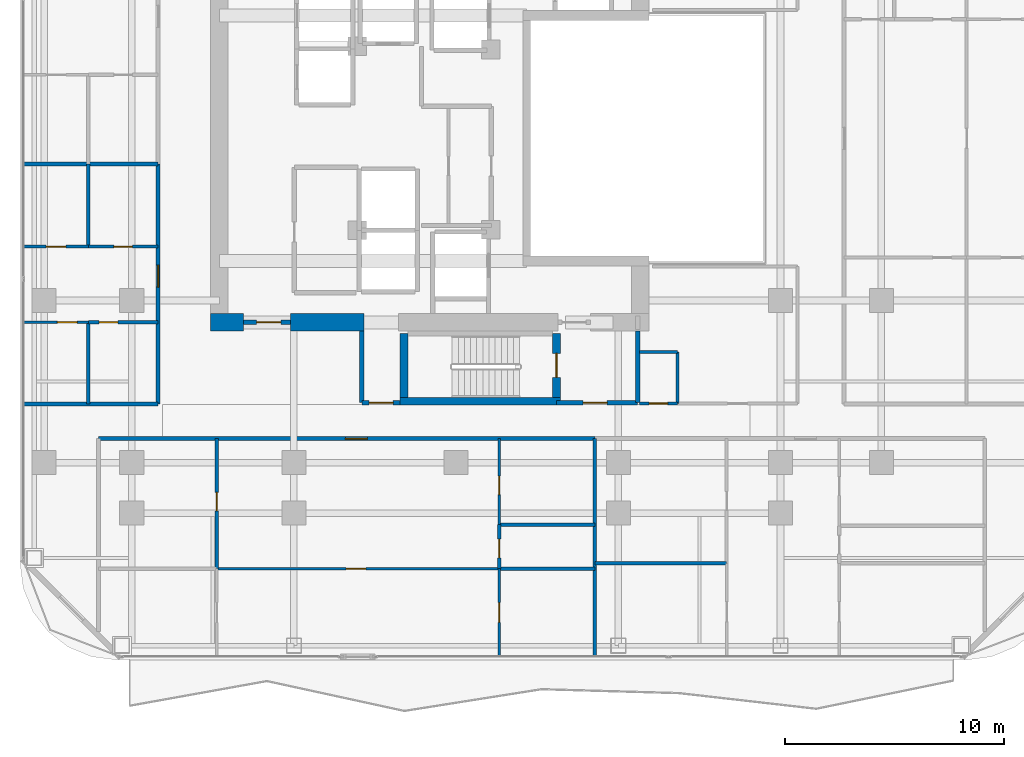
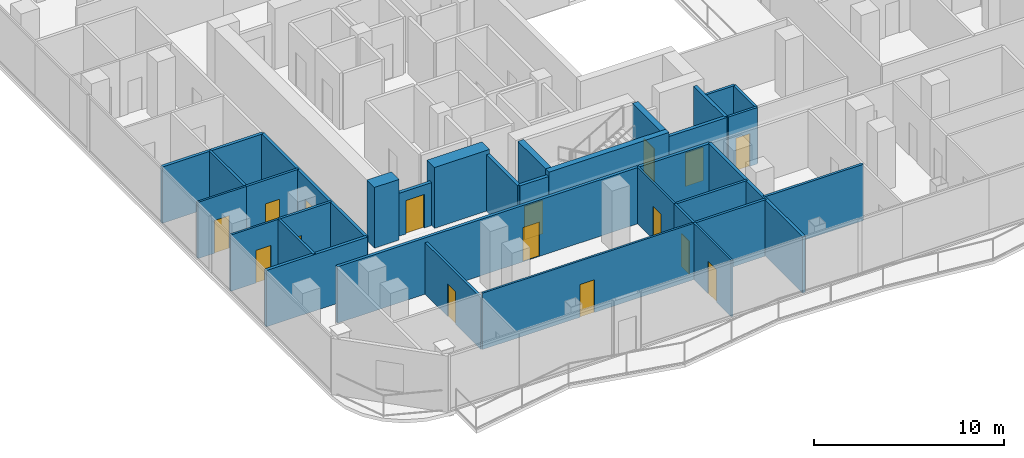
# One storey, part 20 of 27: 32 walls, 16 doors, 16 openings.
"""IFC4 building model written with IfcOpenShell, lengths in metres."""

import ifcopenshell
import ifcopenshell.guid

model = None  # the IFC model being written
_history = None  # IfcOwnerHistory: only IFC2X3 demands one
_inside = {}  # id of a spatial element -> (the spatial element, [elements in it])
_under = {}  # id of a project, library or spatial element -> (it, [spatial elements below it])
_declared = {}  # id of a project -> (the project, [libraries it declares])
_typed = {}  # id of a type object -> (the type object, [elements of that type])
_made_of = {}  # id of a material, layer set ... -> (it, [elements and type objects made of it])


def new_model(schema):
    """Start an empty IFC model of exactly this schema.

    Asked for "IFC4X3", IfcOpenShell would pick the latest addendum, in which some entities
    have other attributes; the version numbers below select the first issue.
    IFC2X3 requires an IfcOwnerHistory on every rooted entity: one is made here for all.
    """
    global model, _history
    if schema == "IFC4X3":
        model = ifcopenshell.file(schema_version=(4, 3, 0, 0))
    else:
        model = ifcopenshell.file(schema=schema)
    _inside.clear()
    _under.clear()
    _declared.clear()
    _typed.clear()
    _made_of.clear()
    _history = None
    if model.schema == "IFC2X3":
        org = make("IfcOrganization", Name="unknown")
        user = make(
            "IfcPersonAndOrganization",
            ThePerson=make("IfcPerson", FamilyName="unknown"),
            TheOrganization=org,
        )
        app = make(
            "IfcApplication",
            ApplicationDeveloper=org,
            Version="unknown",
            ApplicationFullName="unknown",
            ApplicationIdentifier="unknown",
        )
        _history = make(
            "IfcOwnerHistory",
            OwningUser=user,
            OwningApplication=app,
            ChangeAction="ADDED",
            CreationDate=0,
        )
    return model


def make(cls, **values):
    """One entity of the class cls with the attributes given. An attribute that is None is left unset."""
    return model.create_entity(
        cls, **{name: value for name, value in values.items() if value is not None}
    )


def rooted(cls, **values):
    """An entity with a GlobalId (a new one), such as an element, a storey or a relation."""
    return make(cls, GlobalId=ifcopenshell.guid.new(), OwnerHistory=_history, **values)


def si_unit(unit_type, name, prefix=None):
    """IfcSIUnit, for example si_unit("LENGTHUNIT", "METRE", prefix="MILLI")."""
    return make("IfcSIUnit", UnitType=unit_type, Prefix=prefix, Name=name)


def assignment(units):
    """IfcUnitAssignment: the units of a project."""
    return None if units is None else make("IfcUnitAssignment", Units=units)


def point(xyz):
    """IfcCartesianPoint."""
    return None if xyz is None else make("IfcCartesianPoint", Coordinates=xyz)


def direction(xyz):
    """IfcDirection."""
    return None if xyz is None else make("IfcDirection", DirectionRatios=xyz)


def frame(location, z_axis=None, x_axis=None):
    """IfcAxis2Placement3D, a coordinate frame: its origin and axes. An axis left out is left unset."""
    return make(
        "IfcAxis2Placement3D",
        Location=point(location),
        Axis=direction(z_axis),
        RefDirection=direction(x_axis),
    )


def frame_2d(location, x_axis=None):
    """IfcAxis2Placement2D, a coordinate frame in the plane: its origin and x axis."""
    return make(
        "IfcAxis2Placement2D", Location=point(location), RefDirection=direction(x_axis)
    )


def origin():
    """The frame at (0, 0, 0) with its axes left unset."""
    return frame((0.0, 0.0, 0.0))


def place(relative_to, where):
    """IfcLocalPlacement: puts the frame where relative to a parent placement (None: the world)."""
    return make(
        "IfcLocalPlacement", PlacementRelTo=relative_to, RelativePlacement=where
    )


def context(
    kind, dimensions, precision=None, world=None, true_north=None, identifier=None
):
    """IfcGeometricRepresentationContext, for example the 3D "Model" context."""
    return make(
        "IfcGeometricRepresentationContext",
        ContextIdentifier=identifier,
        ContextType=kind,
        CoordinateSpaceDimension=dimensions,
        Precision=precision,
        WorldCoordinateSystem=world,
        TrueNorth=true_north,
    )


def subcontext(parent, identifier, kind, view, scale=None):
    """IfcGeometricRepresentationSubContext, for example "Body" below "Model"."""
    return make(
        "IfcGeometricRepresentationSubContext",
        ContextIdentifier=identifier,
        ContextType=kind,
        ParentContext=parent,
        TargetScale=scale,
        TargetView=view,
    )


def project(units=None, contexts=None):
    """IfcProject with its units and contexts."""
    return rooted(
        "IfcProject",
        Name="project",
        RepresentationContexts=contexts,
        UnitsInContext=assignment(units),
    )


def spatial(cls, under=None, at=None, **own):
    """A site, building, storey or space (cls), placed at a placement, below another one or the project."""
    s = rooted(cls, ObjectPlacement=at, **own)
    if under is not None:
        _under.setdefault(under.id(), (under, []))[1].append(s)
    return s


def profile(cls, at=None, kind="AREA", **sizes):
    """A parametric profile (cls). Its sizes go by their IFC names, for example OverallWidth=200.0."""
    return make(cls, ProfileType=kind, Position=at, **sizes)


def rectangle(**sizes):
    """IfcRectangleProfileDef."""
    return profile("IfcRectangleProfileDef", **sizes)


def extrude(swept, where, along, depth):
    """IfcExtrudedAreaSolid: the profile swept, set in the frame where, extruded along a direction by depth."""
    return make(
        "IfcExtrudedAreaSolid",
        SweptArea=swept,
        Position=where,
        ExtrudedDirection=direction(along),
        Depth=depth,
    )


def shape(context_of_items, identifier, shape_type, items):
    """IfcShapeRepresentation: the items that make up one representation, for example the "Body"."""
    return make(
        "IfcShapeRepresentation",
        ContextOfItems=context_of_items,
        RepresentationIdentifier=identifier,
        RepresentationType=shape_type,
        Items=items,
    )


def material(Name=None, Category=None):
    """IfcMaterial."""
    return make("IfcMaterial", Name=Name, Category=Category)


def layer(
    of_material, thickness, ventilated=None, Name=None, Category=None, Priority=None
):
    """IfcMaterialLayer: one layer of a wall or slab, of a material (None: an air gap)."""
    return make(
        "IfcMaterialLayer",
        Material=of_material,
        LayerThickness=thickness,
        IsVentilated=ventilated,
        Name=Name,
        Category=Category,
        Priority=Priority,
    )


def layer_set(layers, Name=None):
    """IfcMaterialLayerSet."""
    return make("IfcMaterialLayerSet", MaterialLayers=layers, LayerSetName=Name)


def made_of(thing, what):
    """Note that an element or type object is made of a material, layer set ...; save() writes the relation."""
    if what is not None:
        _made_of.setdefault(what.id(), (what, []))[1].append(thing)
    return thing


def type_object(cls, material=None, **own):
    """A type object (cls), such as IfcWallType, which elements share."""
    return made_of(rooted(cls, **own), material)


def element(
    cls,
    number,
    at=None,
    inside=None,
    cuts=None,
    type_object=None,
    material=None,
    context=None,
    identifier="Body",
    shape_type=None,
    held_by="IfcProductDefinitionShape",
    body=None,
    shapes=None,
    **own,
):
    """One element of the class cls, such as IfcWall. Its Tag is "e" and its number.

    at: its placement. inside: the storey or other place that contains it. cuts: it is an
    opening in that element (IfcRelVoidsElement). A single representation is given by context,
    identifier, shape_type and body (its items); several are given by shapes. held_by: the class
    of the entity that holds the representations. save() writes the other relations.
    """
    e = rooted(cls, Tag="e%d" % number, ObjectPlacement=at, **own)
    if body is not None:
        shapes = [shape(context, identifier, shape_type, body)]
    if shapes is not None:
        e.Representation = make(held_by, Representations=shapes)
    if inside is not None:
        _inside.setdefault(inside.id(), (inside, []))[1].append(e)
    if cuts is not None:
        rooted(
            "IfcRelVoidsElement", RelatingBuildingElement=cuts, RelatedOpeningElement=e
        )
    if type_object is not None:
        _typed.setdefault(type_object.id(), (type_object, []))[1].append(e)
    return made_of(e, material)


def fill(opening, filler):
    """IfcRelFillsElement: the door or window that sits in an opening."""
    return rooted(
        "IfcRelFillsElement",
        RelatingOpeningElement=opening,
        RelatedBuildingElement=filler,
    )


def aggregate(whole, parts):
    """IfcRelAggregates: a whole, such as a stair, and the parts it consists of."""
    return rooted("IfcRelAggregates", RelatingObject=whole, RelatedObjects=parts)


def save(model, path):
    """Write the relations noted so far, then the file.

    IfcRelAggregates (storeys below a building ...), IfcRelContainedInSpatialStructure (elements
    in a storey), IfcRelDefinesByType, IfcRelAssociatesMaterial and IfcRelDeclares: one each for
    every whole, place, type object, material and project.
    """
    for whole, parts in _under.values():
        aggregate(whole, parts)
    for where, things in _inside.values():
        rooted(
            "IfcRelContainedInSpatialStructure",
            RelatedElements=things,
            RelatingStructure=where,
        )
    for kind, things in _typed.values():
        rooted("IfcRelDefinesByType", RelatedObjects=things, RelatingType=kind)
    for what, things in _made_of.values():
        rooted("IfcRelAssociatesMaterial", RelatedObjects=things, RelatingMaterial=what)
    for by, libraries in _declared.values():
        rooted("IfcRelDeclares", RelatingContext=by, RelatedDefinitions=libraries)
    model.write(path)


model = new_model("IFC4")

# Units and contexts
model_context = context("Model", 3, precision=1e-05, world=origin(), true_north=direction((0.0, 1.0)))
body_context = subcontext(model_context, "Body", "Model", "MODEL_VIEW")
ifc_project = project(units=[si_unit("LENGTHUNIT", "METRE"), si_unit("AREAUNIT", "SQUARE_METRE"), si_unit("VOLUMEUNIT", "CUBIC_METRE"), si_unit("PLANEANGLEUNIT", "RADIAN"), si_unit("MASSUNIT", "GRAM", prefix="KILO")], contexts=[model_context])

# Site, building, storey
site_placement = place(None, origin())
site = spatial("IfcSite", under=ifc_project, at=site_placement, CompositionType="ELEMENT")
building_placement = place(site_placement, origin())
building = spatial("IfcBuilding", under=site, at=building_placement, Name="Khorvyn Point Tower", CompositionType="ELEMENT")
storey_placement = place(building_placement, frame((0.0, 0.0, 164.10009765625)))
storey = spatial("IfcBuildingStorey", under=building, at=storey_placement, Name="L40", CompositionType="ELEMENT", Elevation=164.10009765625)

# Wall, opening, door
ifc_material_1 = material(Name="Double acoustic gypsum on twin steel stud", Category="steel")
ifc_layer_1 = layer(ifc_material_1, 0.179931640625)
ifc_layer_set_1 = layer_set([ifc_layer_1], Name="Acoustic Double-Stud Apartment Demising Wall 180")
wall_type_1 = type_object("IfcWallType", Name="Acoustic Double-Stud Apartment Demising Wall 180", PredefinedType="PARTITIONING", material=ifc_layer_set_1)
wall_1_placement = place(storey_placement, frame((-16.320068359375, -13.699951171875, 0.0), z_axis=(0.0, 0.0, 1.0), x_axis=(1.0, 0.0, 0.0)))
wall_1 = element("IfcWall", 1, at=wall_1_placement, inside=storey, type_object=wall_type_1, Name="Wall", PredefinedType="PARTITIONING", context=body_context, shape_type="SweptSolid", body=[
    extrude(rectangle(XDim=22.64599609375, YDim=0.179931640625, at=frame_2d((11.322998046875, 0.0))), origin(), (0.0, 0.0, 1.0), 3.619873046875),
])
opening_1_placement = place(wall_1_placement, frame((11.27099609375, 0.0, 0.0)))
opening_1 = element("IfcOpeningElement", 2, at=opening_1_placement, cuts=wall_1, Name="Opening ID-AP60", PredefinedType="OPENING", context=body_context, shape_type="SweptSolid", body=[
    extrude(rectangle(XDim=1.0, YDim=2.199951171875, at=frame_2d((0.5, 1.10009765625))), frame((0.0, 0.099853515625, 0.0), z_axis=(0.0, -1.0, 0.0), x_axis=(1.0, 0.0, 0.0)), (0.0, 0.0, 1.0), 0.199951171875),
])
ifc_material_2 = material(Name="Engineered hardwood fire-rated leaf", Category="wood")
door_type_1 = type_object("IfcDoorType", Name="Acoustic Solid-Core Timber Apartment Entrance Door 1000x2200", OperationType="NOTDEFINED", PredefinedType="DOOR", material=ifc_material_2)
door_1_placement = place(opening_1_placement, origin())
door_1 = element("IfcDoor", 3, at=door_1_placement, inside=storey, type_object=door_type_1, Name="Door", OperationType="SINGLE_SWING_LEFT", OverallHeight=2.199951171875, OverallWidth=1.0, PredefinedType="DOOR", context=body_context, shape_type="SweptSolid", body=[
    extrude(rectangle(XDim=1.0, YDim=2.199951171875, at=frame_2d((0.5, 1.10009765625))), frame((0.0, 0.02490234375, 0.0), z_axis=(0.0, -1.0, 0.0), x_axis=(1.0, 0.0, 0.0)), (0.0, 0.0, 1.0), 0.050048828125),
])
fill(opening_1, door_1)

wall_2_placement = place(storey_placement, frame((-13.60009765625, -12.1201171875, 0.0), z_axis=(0.0, 0.0, 1.0), x_axis=(0.0, 1.0, 0.0)))
wall_2 = element("IfcWall", 4, at=wall_2_placement, inside=storey, type_object=wall_type_1, Name="Wall", PredefinedType="PARTITIONING", context=body_context, shape_type="SweptSolid", body=[
    extrude(rectangle(XDim=10.9560546875, YDim=0.179931640625, at=frame_2d((5.47802734375, 0.0))), origin(), (0.0, 0.0, 1.0), 3.619873046875),
])
opening_2_placement = place(wall_2_placement, frame((5.3349609375, 0.0, 0.0)))
opening_2 = element("IfcOpeningElement", 5, at=opening_2_placement, cuts=wall_2, Name="Opening ID-AP60", PredefinedType="OPENING", context=body_context, shape_type="SweptSolid", body=[
    extrude(rectangle(XDim=1.0, YDim=2.199951171875, at=frame_2d((0.5, 1.10009765625))), frame((0.0, 0.099853515625, 0.0), z_axis=(0.0, -1.0, 0.0), x_axis=(1.0, 0.0, 0.0)), (0.0, 0.0, 1.0), 0.199951171875),
])
door_2_placement = place(opening_2_placement, origin())
door_2 = element("IfcDoor", 6, at=door_2_placement, inside=storey, type_object=door_type_1, Name="Door", OperationType="SINGLE_SWING_RIGHT", OverallHeight=2.199951171875, OverallWidth=1.0, PredefinedType="DOOR", context=body_context, shape_type="SweptSolid", body=[
    extrude(rectangle(XDim=1.0, YDim=2.199951171875, at=frame_2d((0.5, 1.10009765625))), frame((0.0, 0.02490234375, 0.0), z_axis=(0.0, -1.0, 0.0), x_axis=(1.0, 0.0, 0.0)), (0.0, 0.0, 1.0), 0.050048828125),
])
fill(opening_2, door_2)

# Walls
wall_3_placement = place(storey_placement, frame((6.325927734375, -23.6298828125, 0.0), z_axis=(0.0, 0.0, 1.0), x_axis=(0.0, 1.0, 0.0)))
element("IfcWall", 7, at=wall_3_placement, inside=storey, type_object=wall_type_1, Name="Wall", PredefinedType="PARTITIONING", context=body_context, shape_type="SweptSolid", body=[
    extrude(rectangle(XDim=9.929931640625, YDim=0.179931640625, at=frame_2d((4.96484375, 0.0))), origin(), (0.0, 0.0, 1.0), 3.619873046875),
])
for number, where, z_axis, x_axis, name in (
    (8, (-19.72998046875, -1.1640625, 0.0), (0.0, 0.0, 1.0), (1.0, 0.0, 0.0), "Wall"),
    (9, (-19.72998046875, -12.1201171875, 0.0), (0.0, 0.0, 1.0), (1.0, 0.0, 0.0), "Wall"),
):
    element("IfcWall", number, at=place(storey_placement, frame(where, z_axis=z_axis, x_axis=x_axis)), inside=storey, type_object=wall_type_1, Name=name, PredefinedType="PARTITIONING", context=body_context, shape_type="SweptSolid", body=[
        extrude(rectangle(XDim=6.1298828125, YDim=0.179931640625, at=frame_2d((3.06494140625, 0.0))), origin(), (0.0, 0.0, 1.0), 3.619873046875),
    ])

# Wall, opening, door
ifc_material_3 = material(Name="Concrete C40/50", Category="concrete")
ifc_layer_2 = layer(ifc_material_3, 0.199951171875)
ifc_layer_set_2 = layer_set([ifc_layer_2], Name="Concrete C40/50 Fire-Lobby Compartment Wall 200")
wall_type_2 = type_object("IfcWallType", Name="Concrete C40/50 Fire-Lobby Compartment Wall 200", PredefinedType="SOLIDWALL", material=ifc_layer_set_2)
wall_4_placement = place(storey_placement, frame((4.580078125, -12.06005859375, 0.0), z_axis=(0.0, 0.0, 1.0), x_axis=(1.0, 0.0, 0.0)))
wall_4 = element("IfcWall", 10, at=wall_4_placement, inside=storey, type_object=wall_type_2, Name="Wall", PredefinedType="SOLIDWALL", context=body_context, shape_type="SweptSolid", body=[
    extrude(rectangle(XDim=3.699951171875, YDim=0.199951171875, at=frame_2d((1.85009765625, 0.0))), origin(), (0.0, 0.0, 1.0), 3.619873046875),
])
opening_3_placement = place(wall_4_placement, frame((1.21240234375, 0.0, 0.0)))
opening_3 = element("IfcOpeningElement", 11, at=opening_3_placement, cuts=wall_4, Name="Opening ID-FL90", PredefinedType="OPENING", context=body_context, shape_type="SweptSolid", body=[
    extrude(rectangle(XDim=1.10009765625, YDim=2.14990234375, at=frame_2d((0.550048828125, 1.074951171875))), frame((0.0, 0.10986328125, 0.0), z_axis=(0.0, -1.0, 0.0), x_axis=(1.0, 0.0, 0.0)), (0.0, 0.0, 1.0), 0.219970703125),
])
ifc_material_4 = material(Name="Galvanised powder-coated steel", Category="steel")
door_type_2 = type_object("IfcDoorType", Name="Fire-Rated Steel Lobby and Stair Door 1100x2150", OperationType="NOTDEFINED", PredefinedType="DOOR", material=ifc_material_4)
door_3_placement = place(opening_3_placement, origin())
door_3 = element("IfcDoor", 12, at=door_3_placement, inside=storey, type_object=door_type_2, Name="Door", OperationType="SINGLE_SWING_LEFT", OverallHeight=2.14990234375, OverallWidth=1.10009765625, PredefinedType="DOOR", context=body_context, shape_type="SweptSolid", body=[
    extrude(rectangle(XDim=1.10009765625, YDim=2.14990234375, at=frame_2d((0.550048828125, 1.074951171875))), frame((0.0, 0.02490234375, 0.0), z_axis=(0.0, -1.0, 0.0), x_axis=(1.0, 0.0, 0.0)), (0.0, 0.0, 1.0), 0.050048828125),
])
fill(opening_3, door_3)

wall_5_placement = place(storey_placement, frame((-9.699951171875, -8.39990234375, 0.0), z_axis=(0.0, 0.0, 1.0), x_axis=(1.0, 0.0, 0.0)))
wall_5 = element("IfcWall", 13, at=wall_5_placement, inside=storey, type_object=wall_type_2, Name="Wall", PredefinedType="SOLIDWALL", context=body_context, shape_type="SweptSolid", body=[
    extrude(rectangle(XDim=2.14990234375, YDim=0.199951171875, at=frame_2d((1.074951171875, 0.0))), origin(), (0.0, 0.0, 1.0), 2.760009765625),
])
opening_4_placement = place(wall_5_placement, frame((0.597900390625, 0.0, 0.0)))
opening_4 = element("IfcOpeningElement", 14, at=opening_4_placement, cuts=wall_5, Name="Opening ID-FL90", PredefinedType="OPENING", context=body_context, shape_type="SweptSolid", body=[
    extrude(rectangle(XDim=1.10009765625, YDim=2.14990234375, at=frame_2d((0.550048828125, 1.074951171875))), frame((0.0, 0.10986328125, 0.0), z_axis=(0.0, -1.0, 0.0), x_axis=(1.0, 0.0, 0.0)), (0.0, 0.0, 1.0), 0.219970703125),
])
door_4_placement = place(opening_4_placement, origin())
door_4 = element("IfcDoor", 15, at=door_4_placement, inside=storey, type_object=door_type_2, Name="Door", OperationType="SINGLE_SWING_RIGHT", OverallHeight=2.14990234375, OverallWidth=1.10009765625, PredefinedType="DOOR", context=body_context, shape_type="SweptSolid", body=[
    extrude(rectangle(XDim=1.10009765625, YDim=2.14990234375, at=frame_2d((0.550048828125, 1.074951171875))), frame((0.0, 0.02490234375, 0.0), z_axis=(0.0, -1.0, 0.0), x_axis=(1.0, 0.0, 0.0)), (0.0, 0.0, 1.0), 0.050048828125),
])
fill(opening_4, door_4)

wall_6_placement = place(storey_placement, frame((-4.300048828125, -12.06005859375, 0.0), z_axis=(0.0, 0.0, 1.0), x_axis=(1.0, 0.0, 0.0)))
wall_6 = element("IfcWall", 16, at=wall_6_placement, inside=storey, type_object=wall_type_2, Name="Wall", PredefinedType="SOLIDWALL", context=body_context, shape_type="SweptSolid", body=[
    extrude(rectangle(XDim=1.75, YDim=0.199951171875, at=frame_2d((0.875, 0.0))), origin(), (0.0, 0.0, 1.0), 3.619873046875),
])
opening_5_placement = place(wall_6_placement, frame((0.324951171875, 0.0, 0.0)))
opening_5 = element("IfcOpeningElement", 17, at=opening_5_placement, cuts=wall_6, Name="Opening ID-FL90", PredefinedType="OPENING", context=body_context, shape_type="SweptSolid", body=[
    extrude(rectangle(XDim=1.10009765625, YDim=2.14990234375, at=frame_2d((0.550048828125, 1.074951171875))), frame((0.0, 0.10986328125, 0.0), z_axis=(0.0, -1.0, 0.0), x_axis=(1.0, 0.0, 0.0)), (0.0, 0.0, 1.0), 0.219970703125),
])
door_5_placement = place(opening_5_placement, origin())
door_5 = element("IfcDoor", 18, at=door_5_placement, inside=storey, type_object=door_type_2, Name="Door", OperationType="SINGLE_SWING_RIGHT", OverallHeight=2.14990234375, OverallWidth=1.10009765625, PredefinedType="DOOR", context=body_context, shape_type="SweptSolid", body=[
    extrude(rectangle(XDim=1.10009765625, YDim=2.14990234375, at=frame_2d((0.550048828125, 1.074951171875))), frame((0.0, 0.02490234375, 0.0), z_axis=(0.0, -1.0, 0.0), x_axis=(1.0, 0.0, 0.0)), (0.0, 0.0, 1.0), 0.050048828125),
])
fill(opening_5, door_5)

# Walls
for number, where, z_axis, x_axis, name in (
    (19, (8.280029296875, -12.06005859375, 0.0), (0.0, 0.0, 1.0), (0.0, 1.0, 0.0), "Wall"),
    (20, (-4.300048828125, -12.06005859375, 0.0), (0.0, 0.0, 1.0), (0.0, 1.0, 0.0), "Wall"),
):
    element("IfcWall", number, at=place(storey_placement, frame(where, z_axis=z_axis, x_axis=x_axis)), inside=storey, type_object=wall_type_2, Name=name, PredefinedType="SOLIDWALL", context=body_context, shape_type="SweptSolid", body=[
        extrude(rectangle(XDim=3.260009765625, YDim=0.199951171875, at=frame_2d((1.6298828125, 0.0))), origin(), (0.0, 0.0, 1.0), 3.619873046875),
    ])
ifc_layer_3 = layer(ifc_material_3, 0.35009765625)
ifc_layer_set_3 = layer_set([ifc_layer_3], Name="Concrete C40/50 Stair Shaft Structural Wall 350")
wall_type_3 = type_object("IfcWallType", Name="Concrete C40/50 Stair Shaft Structural Wall 350", PredefinedType="SHEAR", material=ifc_layer_set_3)
wall_7_placement = place(storey_placement, frame((-2.554931640625, -12.0, 0.0), z_axis=(0.0, 0.0, 1.0), x_axis=(1.0, 0.0, 0.0)))
element("IfcWall", 21, at=wall_7_placement, inside=storey, type_object=wall_type_3, Name="L40 ST-01 South Shaft Wall", PredefinedType="SHEAR", context=body_context, shape_type="SweptSolid", body=[
    extrude(rectangle(XDim=7.309814453125, YDim=0.35009765625, at=frame_2d((3.65478515625, 0.0))), origin(), (0.0, 0.0, 1.0), 3.89990234375),
])
wall_8_placement = place(storey_placement, frame((-2.3798828125, -11.824951171875, 0.0), z_axis=(0.0, 0.0, 1.0), x_axis=(0.0, 1.0, 0.0)))
element("IfcWall", 22, at=wall_8_placement, inside=storey, type_object=wall_type_3, Name="L40 ST-01 West Shaft Wall", PredefinedType="SHEAR", context=body_context, shape_type="SweptSolid", body=[
    extrude(rectangle(XDim=2.925048828125, YDim=0.35009765625, at=frame_2d((1.46240234375, 0.0))), origin(), (0.0, 0.0, 1.0), 3.89990234375),
])

# Wall, opening, door
wall_9_placement = place(storey_placement, frame((4.580078125, -8.89990234375, 0.0), z_axis=(0.0, 0.0, 1.0), x_axis=(0.0, -1.0, 0.0)))
wall_9 = element("IfcWall", 23, at=wall_9_placement, inside=storey, type_object=wall_type_3, Name="L40 ST-01 East Landing Door Wall", PredefinedType="SHEAR", context=body_context, shape_type="SweptSolid", body=[
    extrude(rectangle(XDim=2.925048828125, YDim=0.35009765625, at=frame_2d((1.46240234375, 0.0))), origin(), (0.0, 0.0, 1.0), 3.89990234375),
])
opening_6_placement = place(wall_9_placement, frame((0.91259765625, 0.0, 0.0)))
opening_6 = element("IfcOpeningElement", 24, at=opening_6_placement, cuts=wall_9, Name="Opening ID-FL90", PredefinedType="OPENING", context=body_context, shape_type="SweptSolid", body=[
    extrude(rectangle(XDim=1.10009765625, YDim=2.14990234375, at=frame_2d((0.550048828125, 1.074951171875))), frame((0.0, 0.18505859375, 0.0), z_axis=(0.0, -1.0, 0.0), x_axis=(1.0, 0.0, 0.0)), (0.0, 0.0, 1.0), 0.3701171875),
])
door_6_placement = place(opening_6_placement, origin())
door_6 = element("IfcDoor", 25, at=door_6_placement, inside=storey, type_object=door_type_2, Name="L40 ST-01 Smokeproof Landing Door", OperationType="SINGLE_SWING_RIGHT", OverallHeight=2.14990234375, OverallWidth=1.10009765625, PredefinedType="DOOR", context=body_context, shape_type="SweptSolid", body=[
    extrude(rectangle(XDim=1.10009765625, YDim=2.14990234375, at=frame_2d((0.550048828125, 1.074951171875))), frame((0.0, 0.02490234375, 0.0), z_axis=(0.0, -1.0, 0.0), x_axis=(1.0, 0.0, 0.0)), (0.0, 0.0, 1.0), 0.050048828125),
])
fill(opening_6, door_6)

# Walls
ifc_material_5 = material(Name="Concrete C45/55", Category="concrete")
ifc_layer_4 = layer(ifc_material_5, 0.800048828125)
ifc_layer_set_4 = layer_set([ifc_layer_4], Name="Concrete C45/55 Core Shear Wall 800")
wall_type_4 = type_object("IfcWallType", Name="Concrete C45/55 Core Shear Wall 800", PredefinedType="SHEAR", material=ifc_layer_set_4)
wall_10_placement = place(storey_placement, frame((-11.199951171875, -8.39990234375, 0.0), z_axis=(0.0, 0.0, 1.0), x_axis=(1.0, 0.0, 0.0)))
element("IfcWall", 26, at=wall_10_placement, inside=storey, type_object=wall_type_4, Name="Wall", PredefinedType="SHEAR", context=body_context, shape_type="SweptSolid", body=[
    extrude(rectangle(XDim=1.5, YDim=0.800048828125, at=frame_2d((0.75, 0.0))), origin(), (0.0, 0.0, 1.0), 3.89990234375),
])
wall_11_placement = place(storey_placement, frame((-7.550048828125, -8.39990234375, 0.0), z_axis=(0.0, 0.0, 1.0), x_axis=(1.0, 0.0, 0.0)))
element("IfcWall", 27, at=wall_11_placement, inside=storey, type_object=wall_type_4, Name="Wall", PredefinedType="SHEAR", context=body_context, shape_type="SweptSolid", body=[
    extrude(rectangle(XDim=3.35009765625, YDim=0.800048828125, at=frame_2d((1.675048828125, 0.0))), origin(), (0.0, 0.0, 1.0), 3.89990234375),
])

# Wall, opening, door
ifc_material_6 = material(Name="Gypsum plasterboard on steel stud", Category="steel")
ifc_layer_5 = layer(ifc_material_6, 0.1201171875)
ifc_layer_set_5 = layer_set([ifc_layer_5], Name="Gypsum Acoustic Stud Room Partition Wall 120")
wall_type_5 = type_object("IfcWallType", Name="Gypsum Acoustic Stud Room Partition Wall 120", PredefinedType="PARTITIONING", material=ifc_layer_set_5)
wall_12_placement = place(storey_placement, frame((-10.926025390625, -19.634033203125, 0.0), z_axis=(0.0, 0.0, 1.0), x_axis=(1.0, 0.0, 0.0)))
wall_12 = element("IfcWall", 28, at=wall_12_placement, inside=storey, type_object=wall_type_5, Name="Wall", PredefinedType="PARTITIONING", context=body_context, shape_type="SweptSolid", body=[
    extrude(rectangle(XDim=12.89013671875, YDim=0.1201171875, at=frame_2d((6.445068359375, 0.0))), origin(), (0.0, 0.0, 1.0), 3.619873046875),
])
opening_7_placement = place(wall_12_placement, frame((5.9052734375, 0.0, 0.0)))
opening_7 = element("IfcOpeningElement", 29, at=opening_7_placement, cuts=wall_12, Name="Opening ID-RM90", PredefinedType="OPENING", context=body_context, shape_type="SweptSolid", body=[
    extrude(rectangle(XDim=0.89990234375, YDim=2.10009765625, at=frame_2d((0.449951171875, 1.050048828125))), frame((0.0, 0.070068359375, 0.0), z_axis=(0.0, -1.0, 0.0), x_axis=(1.0, 0.0, 0.0)), (0.0, 0.0, 1.0), 0.14013671875),
])
ifc_material_7 = material(Name="Engineered oak veneer timber", Category="wood")
door_type_3 = type_object("IfcDoorType", Name="Flush Engineered Timber Room Door 900x2100", OperationType="NOTDEFINED", PredefinedType="DOOR", material=ifc_material_7)
door_7_placement = place(opening_7_placement, origin())
door_7 = element("IfcDoor", 30, at=door_7_placement, inside=storey, type_object=door_type_3, Name="Door", OperationType="SINGLE_SWING_RIGHT", OverallHeight=2.10009765625, OverallWidth=0.89990234375, PredefinedType="DOOR", context=body_context, shape_type="SweptSolid", body=[
    extrude(rectangle(XDim=0.89990234375, YDim=2.10009765625, at=frame_2d((0.449951171875, 1.050048828125))), frame((0.0, 0.02490234375, 0.0), z_axis=(0.0, -1.0, 0.0), x_axis=(1.0, 0.0, 0.0)), (0.0, 0.0, 1.0), 0.050048828125),
])
fill(opening_7, door_7)

wall_13_placement = place(storey_placement, frame((1.964111328125, -17.6279296875, 0.0), z_axis=(0.0, 0.0, 1.0), x_axis=(0.0, 1.0, 0.0)))
wall_13 = element("IfcWall", 31, at=wall_13_placement, inside=storey, type_object=wall_type_5, Name="Wall", PredefinedType="PARTITIONING", context=body_context, shape_type="SweptSolid", body=[
    extrude(rectangle(XDim=3.927978515625, YDim=0.1201171875, at=frame_2d((1.9638671875, 0.0))), origin(), (0.0, 0.0, 1.0), 3.619873046875),
])
opening_8_placement = place(wall_13_placement, frame((1.36669921875, 0.0, 0.0)))
opening_8 = element("IfcOpeningElement", 32, at=opening_8_placement, cuts=wall_13, Name="Opening ID-WC85", PredefinedType="OPENING", context=body_context, shape_type="SweptSolid", body=[
    extrude(rectangle(XDim=0.85009765625, YDim=2.10009765625, at=frame_2d((0.425048828125, 1.050048828125))), frame((0.0, 0.070068359375, 0.0), z_axis=(0.0, -1.0, 0.0), x_axis=(1.0, 0.0, 0.0)), (0.0, 0.0, 1.0), 0.14013671875),
])
ifc_material_8 = material(Name="High-pressure laminate on moisture-resistant core", Category="wood")
door_type_4 = type_object("IfcDoorType", Name="Moisture-Resistant Accessible Washroom Door 850x2100", OperationType="NOTDEFINED", PredefinedType="DOOR", material=ifc_material_8)
door_8_placement = place(opening_8_placement, origin())
door_8 = element("IfcDoor", 33, at=door_8_placement, inside=storey, type_object=door_type_4, Name="Door", OperationType="SINGLE_SWING_RIGHT", OverallHeight=2.10009765625, OverallWidth=0.85009765625, PredefinedType="DOOR", context=body_context, shape_type="SweptSolid", body=[
    extrude(rectangle(XDim=0.85009765625, YDim=2.10009765625, at=frame_2d((0.425048828125, 1.050048828125))), frame((0.0, 0.02490234375, 0.0), z_axis=(0.0, -1.0, 0.0), x_axis=(1.0, 0.0, 0.0)), (0.0, 0.0, 1.0), 0.050048828125),
])
fill(opening_8, door_8)

wall_14_placement = place(storey_placement, frame((1.964111328125, -23.6298828125, 0.0), z_axis=(0.0, 0.0, 1.0), x_axis=(0.0, 1.0, 0.0)))
wall_14 = element("IfcWall", 34, at=wall_14_placement, inside=storey, type_object=wall_type_5, Name="Wall", PredefinedType="PARTITIONING", context=body_context, shape_type="SweptSolid", body=[
    extrude(rectangle(XDim=3.995849609375, YDim=0.1201171875, at=frame_2d((1.998046875, 0.0))), origin(), (0.0, 0.0, 1.0), 3.619873046875),
])
opening_9_placement = place(wall_14_placement, frame((1.548095703125, 0.0, 0.0)))
opening_9 = element("IfcOpeningElement", 35, at=opening_9_placement, cuts=wall_14, Name="Opening ID-RM90", PredefinedType="OPENING", context=body_context, shape_type="SweptSolid", body=[
    extrude(rectangle(XDim=0.89990234375, YDim=2.10009765625, at=frame_2d((0.449951171875, 1.050048828125))), frame((0.0, 0.070068359375, 0.0), z_axis=(0.0, -1.0, 0.0), x_axis=(1.0, 0.0, 0.0)), (0.0, 0.0, 1.0), 0.14013671875),
])
door_9_placement = place(opening_9_placement, origin())
door_9 = element("IfcDoor", 36, at=door_9_placement, inside=storey, type_object=door_type_3, Name="Door", OperationType="SINGLE_SWING_LEFT", OverallHeight=2.10009765625, OverallWidth=0.89990234375, PredefinedType="DOOR", context=body_context, shape_type="SweptSolid", body=[
    extrude(rectangle(XDim=0.89990234375, YDim=2.10009765625, at=frame_2d((0.449951171875, 1.050048828125))), frame((0.0, 0.02490234375, 0.0), z_axis=(0.0, -1.0, 0.0), x_axis=(1.0, 0.0, 0.0)), (0.0, 0.0, 1.0), 0.050048828125),
])
fill(opening_9, door_9)

wall_15_placement = place(storey_placement, frame((-19.72998046875, -8.39404296875, 0.0), z_axis=(0.0, 0.0, 1.0), x_axis=(1.0, 0.0, 0.0)))
wall_15 = element("IfcWall", 37, at=wall_15_placement, inside=storey, type_object=wall_type_5, Name="Wall", PredefinedType="PARTITIONING", context=body_context, shape_type="SweptSolid", body=[
    extrude(rectangle(XDim=2.946044921875, YDim=0.1201171875, at=frame_2d((1.47314453125, 0.0))), origin(), (0.0, 0.0, 1.0), 3.619873046875),
])
opening_10_placement = place(wall_15_placement, frame((1.540771484375, 0.0, 0.0)))
opening_10 = element("IfcOpeningElement", 38, at=opening_10_placement, cuts=wall_15, Name="Opening ID-RM90", PredefinedType="OPENING", context=body_context, shape_type="SweptSolid", body=[
    extrude(rectangle(XDim=0.89990234375, YDim=2.10009765625, at=frame_2d((0.449951171875, 1.050048828125))), frame((0.0, 0.070068359375, 0.0), z_axis=(0.0, -1.0, 0.0), x_axis=(1.0, 0.0, 0.0)), (0.0, 0.0, 1.0), 0.14013671875),
])
door_10_placement = place(opening_10_placement, origin())
door_10 = element("IfcDoor", 39, at=door_10_placement, inside=storey, type_object=door_type_3, Name="Door", OperationType="SINGLE_SWING_LEFT", OverallHeight=2.10009765625, OverallWidth=0.89990234375, PredefinedType="DOOR", context=body_context, shape_type="SweptSolid", body=[
    extrude(rectangle(XDim=0.89990234375, YDim=2.10009765625, at=frame_2d((0.449951171875, 1.050048828125))), frame((0.0, 0.02490234375, 0.0), z_axis=(0.0, -1.0, 0.0), x_axis=(1.0, 0.0, 0.0)), (0.0, 0.0, 1.0), 0.050048828125),
])
fill(opening_10, door_10)

wall_16_placement = place(storey_placement, frame((-19.72998046875, -4.93896484375, 0.0), z_axis=(0.0, 0.0, 1.0), x_axis=(1.0, 0.0, 0.0)))
wall_16 = element("IfcWall", 40, at=wall_16_placement, inside=storey, type_object=wall_type_5, Name="Wall", PredefinedType="PARTITIONING", context=body_context, shape_type="SweptSolid", body=[
    extrude(rectangle(XDim=2.946044921875, YDim=0.1201171875, at=frame_2d((1.47314453125, 0.0))), origin(), (0.0, 0.0, 1.0), 3.619873046875),
])
opening_11_placement = place(wall_16_placement, frame((1.02294921875, 0.0, 0.0)))
opening_11 = element("IfcOpeningElement", 41, at=opening_11_placement, cuts=wall_16, Name="Opening ID-RM90", PredefinedType="OPENING", context=body_context, shape_type="SweptSolid", body=[
    extrude(rectangle(XDim=0.89990234375, YDim=2.10009765625, at=frame_2d((0.449951171875, 1.050048828125))), frame((0.0, 0.070068359375, 0.0), z_axis=(0.0, -1.0, 0.0), x_axis=(1.0, 0.0, 0.0)), (0.0, 0.0, 1.0), 0.14013671875),
])
door_11_placement = place(opening_11_placement, origin())
door_11 = element("IfcDoor", 42, at=door_11_placement, inside=storey, type_object=door_type_3, Name="Door", OperationType="SINGLE_SWING_RIGHT", OverallHeight=2.10009765625, OverallWidth=0.89990234375, PredefinedType="DOOR", context=body_context, shape_type="SweptSolid", body=[
    extrude(rectangle(XDim=0.89990234375, YDim=2.10009765625, at=frame_2d((0.449951171875, 1.050048828125))), frame((0.0, 0.02490234375, 0.0), z_axis=(0.0, -1.0, 0.0), x_axis=(1.0, 0.0, 0.0)), (0.0, 0.0, 1.0), 0.050048828125),
])
fill(opening_11, door_11)

ifc_material_9 = material(Name="Moisture-resistant gypsum and cement board", Category="gypsum")
ifc_layer_6 = layer(ifc_material_9, 0.14990234375)
ifc_layer_set_6 = layer_set([ifc_layer_6], Name="Moisture-Resistant Wet-Room Partition Wall 150")
wall_type_6 = type_object("IfcWallType", Name="Moisture-Resistant Wet-Room Partition Wall 150", PredefinedType="PARTITIONING", material=ifc_layer_set_6)
wall_17_placement = place(storey_placement, frame((8.360107421875, -12.10009765625, 0.0), z_axis=(0.0, 0.0, 1.0), x_axis=(1.0, 0.0, 0.0)))
wall_17 = element("IfcWall", 43, at=wall_17_placement, inside=storey, type_object=wall_type_6, Name="Wall", PredefinedType="PARTITIONING", context=body_context, shape_type="SweptSolid", body=[
    extrude(rectangle(XDim=1.739990234375, YDim=0.14990234375, at=frame_2d((0.8701171875, 0.0))), origin(), (0.0, 0.0, 1.0), 3.619873046875),
])
opening_12_placement = place(wall_17_placement, frame((0.445068359375, 0.0, 0.0)))
opening_12 = element("IfcOpeningElement", 44, at=opening_12_placement, cuts=wall_17, Name="Opening ID-WC85", PredefinedType="OPENING", context=body_context, shape_type="SweptSolid", body=[
    extrude(rectangle(XDim=0.85009765625, YDim=2.10009765625, at=frame_2d((0.425048828125, 1.050048828125))), frame((0.0, 0.0849609375, 0.0), z_axis=(0.0, -1.0, 0.0), x_axis=(1.0, 0.0, 0.0)), (0.0, 0.0, 1.0), 0.169921875),
])
door_12_placement = place(opening_12_placement, origin())
door_12 = element("IfcDoor", 45, at=door_12_placement, inside=storey, type_object=door_type_4, Name="Door", OperationType="SINGLE_SWING_RIGHT", OverallHeight=2.10009765625, OverallWidth=0.85009765625, PredefinedType="DOOR", context=body_context, shape_type="SweptSolid", body=[
    extrude(rectangle(XDim=0.85009765625, YDim=2.10009765625, at=frame_2d((0.425048828125, 1.050048828125))), frame((0.0, 0.02490234375, 0.0), z_axis=(0.0, -1.0, 0.0), x_axis=(1.0, 0.0, 0.0)), (0.0, 0.0, 1.0), 0.050048828125),
])
fill(opening_12, door_12)

wall_18_placement = place(storey_placement, frame((-10.926025390625, -19.634033203125, 0.0), z_axis=(0.0, 0.0, 1.0), x_axis=(0.0, 1.0, 0.0)))
wall_18 = element("IfcWall", 46, at=wall_18_placement, inside=storey, type_object=wall_type_6, Name="Wall", PredefinedType="PARTITIONING", context=body_context, shape_type="SweptSolid", body=[
    extrude(rectangle(XDim=5.93408203125, YDim=0.14990234375, at=frame_2d((2.967041015625, 0.0))), origin(), (0.0, 0.0, 1.0), 3.309814453125),
])
opening_13_placement = place(wall_18_placement, frame((2.630126953125, 0.0, 0.0)))
opening_13 = element("IfcOpeningElement", 47, at=opening_13_placement, cuts=wall_18, Name="Opening ID-WC85", PredefinedType="OPENING", context=body_context, shape_type="SweptSolid", body=[
    extrude(rectangle(XDim=0.85009765625, YDim=2.10009765625, at=frame_2d((0.425048828125, 1.050048828125))), frame((0.0, 0.0849609375, 0.0), z_axis=(0.0, -1.0, 0.0), x_axis=(1.0, 0.0, 0.0)), (0.0, 0.0, 1.0), 0.169921875),
])
door_13_placement = place(opening_13_placement, origin())
door_13 = element("IfcDoor", 48, at=door_13_placement, inside=storey, type_object=door_type_4, Name="Door", OperationType="SINGLE_SWING_LEFT", OverallHeight=2.10009765625, OverallWidth=0.85009765625, PredefinedType="DOOR", context=body_context, shape_type="SweptSolid", body=[
    extrude(rectangle(XDim=0.85009765625, YDim=2.10009765625, at=frame_2d((0.425048828125, 1.050048828125))), frame((0.0, 0.02490234375, 0.0), z_axis=(0.0, -1.0, 0.0), x_axis=(1.0, 0.0, 0.0)), (0.0, 0.0, 1.0), 0.050048828125),
])
fill(opening_13, door_13)

wall_19_placement = place(storey_placement, frame((1.964111328125, -19.634033203125, 0.0), z_axis=(0.0, 0.0, 1.0), x_axis=(0.0, 1.0, 0.0)))
wall_19 = element("IfcWall", 49, at=wall_19_placement, inside=storey, type_object=wall_type_6, Name="Wall", PredefinedType="PARTITIONING", context=body_context, shape_type="SweptSolid", body=[
    extrude(rectangle(XDim=2.006103515625, YDim=0.14990234375, at=frame_2d((1.0029296875, 0.0))), origin(), (0.0, 0.0, 1.0), 3.619873046875),
])
opening_14_placement = place(wall_19_placement, frame((0.494384765625, 0.0, 0.0)))
opening_14 = element("IfcOpeningElement", 50, at=opening_14_placement, cuts=wall_19, Name="Opening ID-WC85", PredefinedType="OPENING", context=body_context, shape_type="SweptSolid", body=[
    extrude(rectangle(XDim=0.85009765625, YDim=2.10009765625, at=frame_2d((0.425048828125, 1.050048828125))), frame((0.0, 0.0849609375, 0.0), z_axis=(0.0, -1.0, 0.0), x_axis=(1.0, 0.0, 0.0)), (0.0, 0.0, 1.0), 0.169921875),
])
door_14_placement = place(opening_14_placement, origin())
door_14 = element("IfcDoor", 51, at=door_14_placement, inside=storey, type_object=door_type_4, Name="Door", OperationType="SINGLE_SWING_LEFT", OverallHeight=2.10009765625, OverallWidth=0.85009765625, PredefinedType="DOOR", context=body_context, shape_type="SweptSolid", body=[
    extrude(rectangle(XDim=0.85009765625, YDim=2.10009765625, at=frame_2d((0.425048828125, 1.050048828125))), frame((0.0, 0.02490234375, 0.0), z_axis=(0.0, -1.0, 0.0), x_axis=(1.0, 0.0, 0.0)), (0.0, 0.0, 1.0), 0.050048828125),
])
fill(opening_14, door_14)

wall_20_placement = place(storey_placement, frame((-16.783935546875, -4.93896484375, 0.0), z_axis=(0.0, 0.0, 1.0), x_axis=(1.0, 0.0, 0.0)))
wall_20 = element("IfcWall", 52, at=wall_20_placement, inside=storey, type_object=wall_type_6, Name="Wall", PredefinedType="PARTITIONING", context=body_context, shape_type="SweptSolid", body=[
    extrude(rectangle(XDim=3.183837890625, YDim=0.14990234375, at=frame_2d((1.591796875, 0.0))), origin(), (0.0, 0.0, 1.0), 3.619873046875),
])
opening_15_placement = place(wall_20_placement, frame((1.1669921875, 0.0, 0.0)))
opening_15 = element("IfcOpeningElement", 53, at=opening_15_placement, cuts=wall_20, Name="Opening ID-WC85", PredefinedType="OPENING", context=body_context, shape_type="SweptSolid", body=[
    extrude(rectangle(XDim=0.85009765625, YDim=2.10009765625, at=frame_2d((0.425048828125, 1.050048828125))), frame((0.0, 0.0849609375, 0.0), z_axis=(0.0, -1.0, 0.0), x_axis=(1.0, 0.0, 0.0)), (0.0, 0.0, 1.0), 0.169921875),
])
door_15_placement = place(opening_15_placement, origin())
door_15 = element("IfcDoor", 54, at=door_15_placement, inside=storey, type_object=door_type_4, Name="Door", OperationType="SINGLE_SWING_LEFT", OverallHeight=2.10009765625, OverallWidth=0.85009765625, PredefinedType="DOOR", context=body_context, shape_type="SweptSolid", body=[
    extrude(rectangle(XDim=0.85009765625, YDim=2.10009765625, at=frame_2d((0.425048828125, 1.050048828125))), frame((0.0, 0.02490234375, 0.0), z_axis=(0.0, -1.0, 0.0), x_axis=(1.0, 0.0, 0.0)), (0.0, 0.0, 1.0), 0.050048828125),
])
fill(opening_15, door_15)

wall_21_placement = place(storey_placement, frame((-16.783935546875, -8.39404296875, 0.0), z_axis=(0.0, 0.0, 1.0), x_axis=(1.0, 0.0, 0.0)))
wall_21 = element("IfcWall", 55, at=wall_21_placement, inside=storey, type_object=wall_type_6, Name="Wall", PredefinedType="PARTITIONING", context=body_context, shape_type="SweptSolid", body=[
    extrude(rectangle(XDim=3.183837890625, YDim=0.14990234375, at=frame_2d((1.591796875, 0.0))), origin(), (0.0, 0.0, 1.0), 3.619873046875),
])
opening_16_placement = place(wall_21_placement, frame((0.49560546875, 0.0, 0.0)))
opening_16 = element("IfcOpeningElement", 56, at=opening_16_placement, cuts=wall_21, Name="Opening ID-WC85", PredefinedType="OPENING", context=body_context, shape_type="SweptSolid", body=[
    extrude(rectangle(XDim=0.85009765625, YDim=2.10009765625, at=frame_2d((0.425048828125, 1.050048828125))), frame((0.0, 0.0849609375, 0.0), z_axis=(0.0, -1.0, 0.0), x_axis=(1.0, 0.0, 0.0)), (0.0, 0.0, 1.0), 0.169921875),
])
door_16_placement = place(opening_16_placement, origin())
door_16 = element("IfcDoor", 57, at=door_16_placement, inside=storey, type_object=door_type_4, Name="Door", OperationType="SINGLE_SWING_RIGHT", OverallHeight=2.10009765625, OverallWidth=0.85009765625, PredefinedType="DOOR", context=body_context, shape_type="SweptSolid", body=[
    extrude(rectangle(XDim=0.85009765625, YDim=2.10009765625, at=frame_2d((0.425048828125, 1.050048828125))), frame((0.0, 0.02490234375, 0.0), z_axis=(0.0, -1.0, 0.0), x_axis=(1.0, 0.0, 0.0)), (0.0, 0.0, 1.0), 0.050048828125),
])
fill(opening_16, door_16)

# Walls
wall_22_placement = place(storey_placement, frame((8.360107421875, -9.75, 0.0), z_axis=(0.0, 0.0, 1.0), x_axis=(1.0, 0.0, 0.0)))
element("IfcWall", 58, at=wall_22_placement, inside=storey, type_object=wall_type_6, Name="Wall", PredefinedType="PARTITIONING", context=body_context, shape_type="SweptSolid", body=[
    extrude(rectangle(XDim=1.739990234375, YDim=0.14990234375, at=frame_2d((0.8701171875, 0.0))), origin(), (0.0, 0.0, 1.0), 3.619873046875),
])
wall_23_placement = place(storey_placement, frame((10.10009765625, -12.10009765625, 0.0), z_axis=(0.0, 0.0, 1.0), x_axis=(0.0, 1.0, 0.0)))
element("IfcWall", 59, at=wall_23_placement, inside=storey, type_object=wall_type_6, Name="Wall", PredefinedType="PARTITIONING", context=body_context, shape_type="SweptSolid", body=[
    extrude(rectangle(XDim=2.35009765625, YDim=0.14990234375, at=frame_2d((1.175048828125, 0.0))), origin(), (0.0, 0.0, 1.0), 3.619873046875),
])
for number, where, z_axis, x_axis, name in (
    (60, (1.964111328125, -17.6279296875, 0.0), (0.0, 0.0, 1.0), (1.0, 0.0, 0.0), "Wall"),
    (61, (1.964111328125, -19.634033203125, 0.0), (0.0, 0.0, 1.0), (1.0, 0.0, 0.0), "Wall"),
):
    element("IfcWall", number, at=place(storey_placement, frame(where, z_axis=z_axis, x_axis=x_axis)), inside=storey, type_object=wall_type_6, Name=name, PredefinedType="PARTITIONING", context=body_context, shape_type="SweptSolid", body=[
        extrude(rectangle(XDim=4.36181640625, YDim=0.14990234375, at=frame_2d((2.180908203125, 0.0))), origin(), (0.0, 0.0, 1.0), 3.619873046875),
    ])
wall_24_placement = place(storey_placement, frame((6.325927734375, -19.389892578125, 0.0), z_axis=(0.0, 0.0, 1.0), x_axis=(1.0, 0.0, 0.0)))
element("IfcWall", 62, at=wall_24_placement, inside=storey, type_object=wall_type_6, Name="Wall", PredefinedType="PARTITIONING", context=body_context, shape_type="SweptSolid", body=[
    extrude(rectangle(XDim=6.01416015625, YDim=0.14990234375, at=frame_2d((3.007080078125, 0.0))), origin(), (0.0, 0.0, 1.0), 3.619873046875),
])
wall_25_placement = place(storey_placement, frame((-16.783935546875, -12.1201171875, 0.0), z_axis=(0.0, 0.0, 1.0), x_axis=(0.0, 1.0, 0.0)))
element("IfcWall", 63, at=wall_25_placement, inside=storey, type_object=wall_type_6, Name="Wall", PredefinedType="PARTITIONING", context=body_context, shape_type="SweptSolid", body=[
    extrude(rectangle(XDim=3.72607421875, YDim=0.14990234375, at=frame_2d((1.863037109375, 0.0))), origin(), (0.0, 0.0, 1.0), 3.619873046875),
])
wall_26_placement = place(storey_placement, frame((-16.783935546875, -4.93896484375, 0.0), z_axis=(0.0, 0.0, 1.0), x_axis=(0.0, 1.0, 0.0)))
element("IfcWall", 64, at=wall_26_placement, inside=storey, type_object=wall_type_6, Name="Wall", PredefinedType="PARTITIONING", context=body_context, shape_type="SweptSolid", body=[
    extrude(rectangle(XDim=3.77490234375, YDim=0.14990234375, at=frame_2d((1.887451171875, 0.0))), origin(), (0.0, 0.0, 1.0), 3.619873046875),
])

save(model, "model.ifc")
